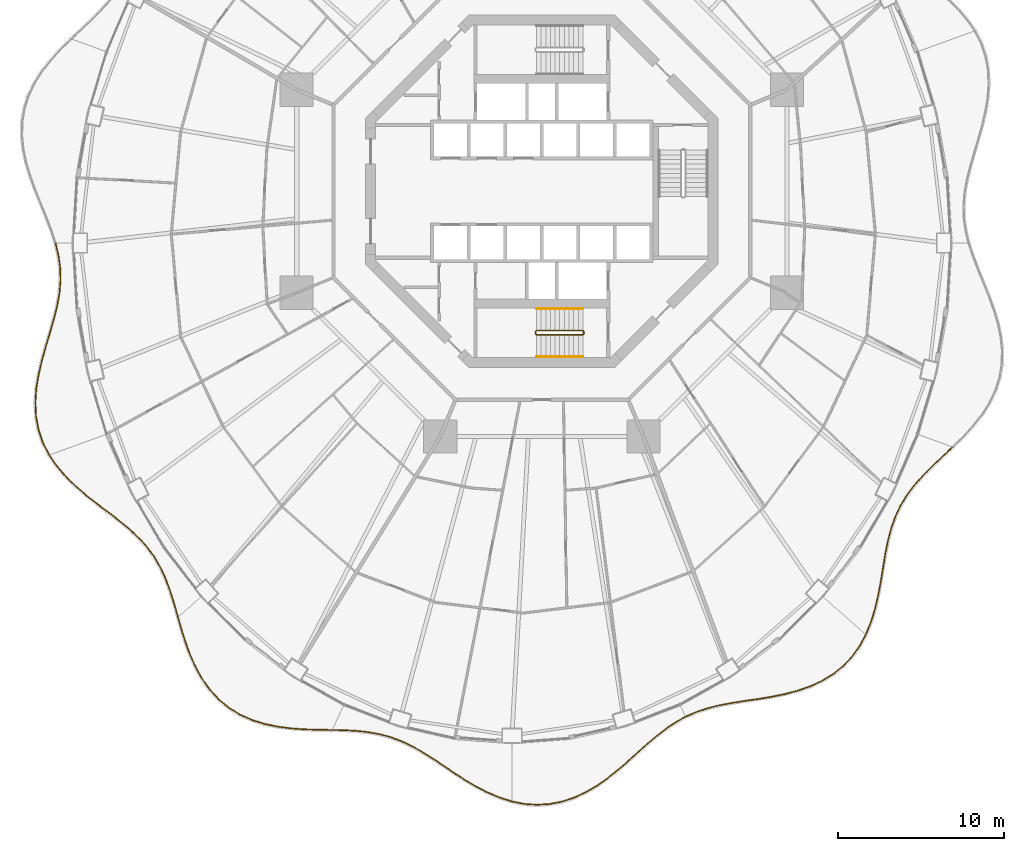
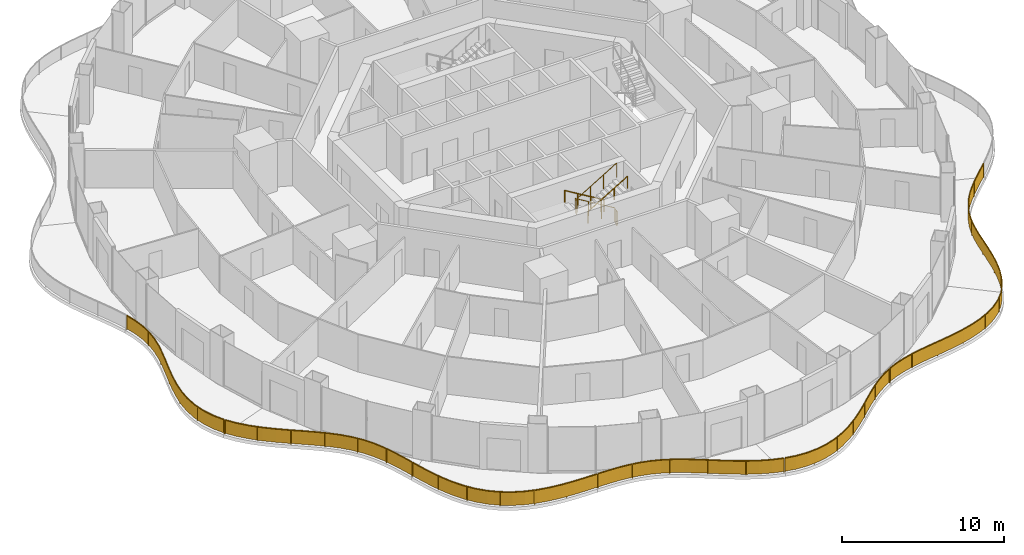
# One storey, part 19 of 21: 10 railings.
"""IFC4 building model written with IfcOpenShell, lengths in metres."""

from ifc_helpers import new_model, si_unit, direction, frame, origin, origin_2d, place, context, subcontext, project, spatial, polyline, rectangle, circle, outline, extrude, material, type_object, element, save


model = new_model("IFC4")

# Units and contexts
model_context = context("Model", 3, precision=1e-05, world=origin(), true_north=direction((0.0, 1.0)))
body_context = subcontext(model_context, "Body", "Model", "MODEL_VIEW")
ifc_project = project(units=[si_unit("LENGTHUNIT", "METRE"), si_unit("AREAUNIT", "SQUARE_METRE"), si_unit("VOLUMEUNIT", "CUBIC_METRE"), si_unit("PLANEANGLEUNIT", "RADIAN"), si_unit("MASSUNIT", "GRAM", prefix="KILO")], contexts=[model_context])

# Site, building, storey
site_placement = place(None, origin())
site = spatial("IfcSite", under=ifc_project, at=site_placement, CompositionType="ELEMENT")
building_placement = place(site_placement, origin())
building = spatial("IfcBuilding", under=site, at=building_placement, Name="Nagisa Residences", CompositionType="ELEMENT")
storey_placement = place(building_placement, frame((0.0, 0.0, 134.39990234375)))
storey = spatial("IfcBuildingStorey", under=building, at=storey_placement, Name="L33", CompositionType="ELEMENT", Elevation=134.39990234375)

# Railings
ifc_material_1 = material(Name="Stainless steel 316", Category="steel")
railing_type_1 = type_object("IfcRailingType", Name="BALCONY GUARD 1100", PredefinedType="BALUSTRADE", material=ifc_material_1)
railing_1_placement = place(storey_placement, frame((-29.312255859375, -3.15234375, 0.0)))
element("IfcRailing", 1, at=railing_1_placement, inside=storey, type_object=railing_type_1, Name="guard:L33:bal08-0", PredefinedType="BALUSTRADE", context=body_context, shape_type="SweptSolid", body=[
    extrude(outline(polyline([(0.197021484375, -0.710693359375), (0.0244140625, 0.005859375), (-0.0244140625, -0.005859375), (0.147705078125, -0.719970703125), (0.25048828125, -1.47021484375), (0.269287109375, -2.22314453125), (0.206298828125, -2.984619140625), (0.0703125, -3.760009765625), (-0.126220703125, -4.539306640625), (-0.359619140625, -5.352294921875), (-0.608154296875, -6.183837890625), (-0.845947265625, -7.03125), (-1.046875, -7.889404296875), (-1.189453125, -8.73681640625), (-1.24609375, -9.592041015625), (-1.203369140625, -10.432373046875), (-1.050537109375, -11.247802734375), (-0.7841796875, -12.030029296875), (-0.427001953125, -12.729248046875), (-0.382568359375, -12.706298828125), (-0.73779296875, -12.010498046875), (-1.002197265625, -11.235107421875), (-1.153564453125, -10.426513671875), (-1.19580078125, -9.592529296875), (-1.1396484375, -8.74267578125), (-0.99755859375, -7.899169921875), (-0.797607421875, -7.0439453125), (-0.560302734375, -6.197998046875), (-0.311767578125, -5.366455078125), (-0.077880859375, -4.552490234375), (0.119140625, -3.770263671875), (0.256103515625, -2.990966796875), (0.319580078125, -2.224609375), (0.30029296875, -1.46630859375), (0.197021484375, -0.710693359375)])), frame((0.0, 0.0, 1.050048828125)), (0.0, 0.0, 1.0), 0.050048828125),
    extrude(outline(polyline([(0.17919921875, -0.714111328125), (0.0068359375, 0.001708984375), (-0.0068359375, -0.001708984375), (0.16552734375, -0.716552734375), (0.268310546875, -1.46875), (0.287353515625, -2.2236328125), (0.224365234375, -2.98681640625), (0.087890625, -3.763671875), (-0.10888671875, -4.544189453125), (-0.342529296875, -5.357421875), (-0.591064453125, -6.18896484375), (-0.82861328125, -7.035888671875), (-1.029052734375, -7.892822265625), (-1.171630859375, -8.739013671875), (-1.22802734375, -9.59228515625), (-1.185546875, -10.43017578125), (-1.033203125, -11.2431640625), (-0.767333984375, -12.02294921875), (-0.4111328125, -12.720947265625), (-0.3984375, -12.714599609375), (-0.754638671875, -12.017578125), (-1.01953125, -11.23974609375), (-1.17138671875, -10.4287109375), (-1.2138671875, -9.59228515625), (-1.157470703125, -8.740478515625), (-1.015380859375, -7.895751953125), (-0.81494140625, -7.039306640625), (-0.577392578125, -6.19287109375), (-0.328857421875, -5.361328125), (-0.09521484375, -4.547607421875), (0.1015625, -3.7666015625), (0.238037109375, -2.98876953125), (0.301513671875, -2.22412109375), (0.282470703125, -1.4677734375), (0.17919921875, -0.714111328125)])), frame((0.0, 0.0, 0.06005859375)), (0.0, 0.0, 1.0), 0.989990234375),
    extrude(rectangle(XDim=0.0400390625, YDim=0.0400390625, at=origin_2d()), origin(), (0.0, 0.0, 1.0), 1.050048828125),
    extrude(rectangle(XDim=0.0400390625, YDim=0.0400390625, at=origin_2d()), frame((0.29248046875, -2.150390625, 0.0)), (0.0, 0.0, 1.0), 1.050048828125),
    extrude(rectangle(XDim=0.0400390625, YDim=0.0400390625, at=origin_2d()), frame((-0.039306640625, -4.297119140625, 0.0)), (0.0, 0.0, 1.0), 1.050048828125),
    extrude(rectangle(XDim=0.0400390625, YDim=0.0400390625, at=origin_2d()), frame((-0.64013671875, -6.390380859375, 0.0)), (0.0, 0.0, 1.0), 1.050048828125),
    extrude(rectangle(XDim=0.0400390625, YDim=0.0400390625, at=origin_2d()), frame((-1.126220703125, -8.51171875, 0.0)), (0.0, 0.0, 1.0), 1.050048828125),
    extrude(rectangle(XDim=0.0400390625, YDim=0.0400390625, at=origin_2d()), frame((-1.131591796875, -10.67919921875, 0.0)), (0.0, 0.0, 1.0), 1.050048828125),
    extrude(rectangle(XDim=0.0400390625, YDim=0.0400390625, at=origin_2d()), frame((-0.40478515625, -12.7177734375, 0.0)), (0.0, 0.0, 1.0), 1.050048828125),
])
railing_2_placement = place(storey_placement, frame((-29.677001953125, -15.9365234375, 0.0)))
element("IfcRailing", 2, at=railing_2_placement, inside=storey, type_object=railing_type_1, Name="guard:L33:bal09-0", PredefinedType="BALUSTRADE", context=body_context, shape_type="SweptSolid", body=[
    extrude(outline(polyline([(0.456298828125, -0.620361328125), (0.0205078125, 0.01416015625), (-0.0205078125, -0.01416015625), (0.416748046875, -0.651123046875), (0.96142578125, -1.28466796875), (1.570068359375, -1.8779296875), (2.2216796875, -2.43505859375), (2.89453125, -2.9638671875), (3.5595703125, -3.46142578125), (4.20947265625, -3.96484375), (4.8203125, -4.4736328125), (5.37841796875, -4.99951171875), (5.874755859375, -5.553955078125), (6.298095703125, -6.13330078125), (6.66748046875, -6.76904296875), (6.981201171875, -7.4521484375), (7.2509765625, -8.180908203125), (7.491943359375, -8.950439453125), (7.70703125, -9.708984375), (7.75537109375, -9.6953125), (7.539794921875, -8.936279296875), (7.29833984375, -8.164794921875), (7.027587890625, -7.43310546875), (6.7119140625, -6.74609375), (6.340087890625, -6.10595703125), (5.913818359375, -5.522216796875), (5.4140625, -4.96435546875), (4.853515625, -4.43603515625), (4.24072265625, -3.92578125), (3.58984375, -3.42138671875), (2.9248046875, -2.92431640625), (2.25341796875, -2.396484375), (1.603759765625, -1.8408203125), (0.998046875, -1.25048828125), (0.456298828125, -0.620361328125)])), frame((0.0, 0.0, 1.050048828125)), (0.0, 0.0, 1.0), 0.050048828125),
    extrude(outline(polyline([(0.442138671875, -0.63134765625), (0.005859375, 0.00390625), (-0.005859375, -0.00390625), (0.430908203125, -0.64013671875), (0.974609375, -1.2724609375), (1.582275390625, -1.864501953125), (2.233154296875, -2.421142578125), (2.905517578125, -2.94970703125), (3.570556640625, -3.447021484375), (4.220703125, -3.95068359375), (4.832275390625, -4.4599609375), (5.39111328125, -4.98681640625), (5.888916015625, -5.54248046875), (6.313232421875, -6.12353515625), (6.68359375, -6.7607421875), (6.997802734375, -7.4453125), (7.26806640625, -8.175048828125), (7.50927734375, -8.9453125), (7.724365234375, -9.7041015625), (7.738037109375, -9.7001953125), (7.5224609375, -8.94140625), (7.28125, -8.170654296875), (7.010986328125, -7.43994140625), (6.69580078125, -6.75439453125), (6.324951171875, -6.11572265625), (5.899658203125, -5.53369140625), (5.4013671875, -4.97705078125), (4.841552734375, -4.44970703125), (4.2294921875, -3.93994140625), (3.578857421875, -3.435791015625), (2.913818359375, -2.9384765625), (2.241943359375, -2.410400390625), (1.591552734375, -1.854248046875), (0.98486328125, -1.2626953125), (0.442138671875, -0.63134765625)])), frame((0.0, 0.0, 0.06005859375)), (0.0, 0.0, 1.0), 0.989990234375),
    extrude(rectangle(XDim=0.0400390625, YDim=0.0400390625, at=origin_2d()), origin(), (0.0, 0.0, 1.0), 1.050048828125),
    extrude(rectangle(XDim=0.0400390625, YDim=0.0400390625, at=origin_2d()), frame((1.348388671875, -1.626708984375, 0.0)), (0.0, 0.0, 1.0), 1.050048828125),
    extrude(rectangle(XDim=0.0400390625, YDim=0.0400390625, at=origin_2d()), frame((2.969482421875, -2.989013671875, 0.0)), (0.0, 0.0, 1.0), 1.050048828125),
    extrude(rectangle(XDim=0.0400390625, YDim=0.0400390625, at=origin_2d()), frame((4.640625, -4.291259765625, 0.0)), (0.0, 0.0, 1.0), 1.050048828125),
    extrude(rectangle(XDim=0.0400390625, YDim=0.0400390625, at=origin_2d()), frame((6.099853515625, -5.819580078125, 0.0)), (0.0, 0.0, 1.0), 1.050048828125),
    extrude(rectangle(XDim=0.0400390625, YDim=0.0400390625, at=origin_2d()), frame((7.09326171875, -7.682373046875, 0.0)), (0.0, 0.0, 1.0), 1.050048828125),
    extrude(rectangle(XDim=0.0400390625, YDim=0.0400390625, at=origin_2d()), frame((7.731201171875, -9.7021484375, 0.0)), (0.0, 0.0, 1.0), 1.050048828125),
])
railing_3_placement = place(storey_placement, frame((-21.926513671875, -25.712158203125, 0.0)))
element("IfcRailing", 3, at=railing_3_placement, inside=storey, type_object=railing_type_1, Name="guard:L33:bal10-0", PredefinedType="BALUSTRADE", context=body_context, shape_type="SweptSolid", body=[
    extrude(outline(polyline([(0.234619140625, -0.73095703125), (0.024169921875, 0.0068359375), (-0.024169921875, -0.0068359375), (0.186767578125, -0.74560546875), (0.435791015625, -1.530029296875), (0.72265625, -2.302734375), (1.060791015625, -3.0478515625), (1.45947265625, -3.749267578125), (1.91357421875, -4.3828125), (2.449951171875, -4.957275390625), (3.054931640625, -5.452392578125), (3.72412109375, -5.863037109375), (4.44873046875, -6.18798828125), (5.2060546875, -6.422607421875), (6.007080078125, -6.58984375), (6.8291015625, -6.695068359375), (7.657958984375, -6.751953125), (8.48193359375, -6.778076171875), (9.245361328125, -6.788330078125), (9.245849609375, -6.738525390625), (8.48291015625, -6.728271484375), (7.660400390625, -6.7021484375), (6.833984375, -6.645263671875), (6.015380859375, -6.54052734375), (5.21875, -6.374267578125), (4.46630859375, -6.14111328125), (3.74755859375, -5.818603515625), (3.084228515625, -5.411376953125), (2.484130859375, -4.920654296875), (1.9521484375, -4.35107421875), (1.50146484375, -3.722412109375), (1.105224609375, -3.02490234375), (0.76904296875, -2.28369140625), (0.483154296875, -1.513916015625), (0.234619140625, -0.73095703125)])), frame((0.0, 0.0, 1.050048828125)), (0.0, 0.0, 1.0), 0.050048828125),
    extrude(outline(polyline([(0.21728515625, -0.736328125), (0.0068359375, 0.001953125), (-0.0068359375, -0.001953125), (0.2041015625, -0.740234375), (0.452880859375, -1.524169921875), (0.7392578125, -2.2958984375), (1.07666015625, -3.03955078125), (1.474609375, -3.739501953125), (1.927490234375, -4.371337890625), (2.462158203125, -4.944091796875), (3.0654296875, -5.4375), (3.732666015625, -5.846923828125), (4.455078125, -6.171142578125), (5.210693359375, -6.4052734375), (6.010009765625, -6.572021484375), (6.830810546875, -6.67724609375), (7.658935546875, -6.734130859375), (8.482177734375, -6.76025390625), (9.24560546875, -6.7705078125), (9.24560546875, -6.75634765625), (8.482666015625, -6.74609375), (7.659423828125, -6.719970703125), (6.832275390625, -6.6630859375), (6.012451171875, -6.558349609375), (5.214111328125, -6.3916015625), (4.4599609375, -6.157958984375), (3.739013671875, -5.834716796875), (3.07373046875, -5.42626953125), (2.471923828125, -4.933837890625), (1.938232421875, -4.362548828125), (1.486328125, -3.732177734375), (1.08935546875, -3.033203125), (0.75244140625, -2.29052734375), (0.466064453125, -1.519775390625), (0.21728515625, -0.736328125)])), frame((0.0, 0.0, 0.06005859375)), (0.0, 0.0, 1.0), 0.989990234375),
    extrude(rectangle(XDim=0.0400390625, YDim=0.0400390625, at=origin_2d()), origin(), (0.0, 0.0, 1.0), 1.050048828125),
    extrude(rectangle(XDim=0.0400390625, YDim=0.0400390625, at=origin_2d()), frame((0.648193359375, -2.0302734375, 0.0)), (0.0, 0.0, 1.0), 1.050048828125),
    extrude(rectangle(XDim=0.0400390625, YDim=0.0400390625, at=origin_2d()), frame((1.615234375, -3.923828125, 0.0)), (0.0, 0.0, 1.0), 1.050048828125),
    extrude(rectangle(XDim=0.0400390625, YDim=0.0400390625, at=origin_2d()), frame((3.091552734375, -5.4453125, 0.0)), (0.0, 0.0, 1.0), 1.050048828125),
    extrude(rectangle(XDim=0.0400390625, YDim=0.0400390625, at=origin_2d()), frame((5.0166015625, -6.337890625, 0.0)), (0.0, 0.0, 1.0), 1.050048828125),
    extrude(rectangle(XDim=0.0400390625, YDim=0.0400390625, at=origin_2d()), frame((7.115234375, -6.689697265625, 0.0)), (0.0, 0.0, 1.0), 1.050048828125),
    extrude(rectangle(XDim=0.0400390625, YDim=0.0400390625, at=origin_2d()), frame((9.24560546875, -6.763427734375, 0.0)), (0.0, 0.0, 1.0), 1.050048828125),
])
railing_4_placement = place(storey_placement, frame((-12.60546875, -32.47509765625, 0.0)))
element("IfcRailing", 4, at=railing_4_placement, inside=storey, type_object=railing_type_1, Name="guard:L33:bal11-0", PredefinedType="BALUSTRADE", context=body_context, shape_type="SweptSolid", body=[
    extrude(outline(polyline([(0.713623046875, 0.00927734375), (0.00048828125, 0.02490234375), (-0.00048828125, -0.02490234375), (0.711669921875, -0.04052734375), (1.444091796875, -0.081298828125), (2.148681640625, -0.15771484375), (2.826904296875, -0.280517578125), (3.48193359375, -0.458251953125), (4.1015625, -0.688720703125), (4.72705078125, -0.98193359375), (5.34814453125, -1.328125), (5.97216796875, -1.71826171875), (6.60693359375, -2.139404296875), (7.239501953125, -2.57275390625), (7.91015625, -3.00634765625), (8.60302734375, -3.417724609375), (9.318603515625, -3.7880859375), (10.054931640625, -4.099365234375), (10.760986328125, -4.322998046875), (10.776123046875, -4.275146484375), (10.072509765625, -4.052490234375), (9.340087890625, -3.74267578125), (8.62744140625, -3.373779296875), (7.9365234375, -2.9638671875), (7.267333984375, -2.53125), (6.634765625, -2.097900390625), (5.99951171875, -1.67626953125), (5.37353515625, -1.28515625), (4.75, -0.9375), (4.12109375, -0.642333984375), (3.4970703125, -0.410400390625), (2.838134765625, -0.231689453125), (2.156005859375, -0.10791015625), (1.447998046875, -0.031494140625), (0.713623046875, 0.00927734375)])), frame((0.0, 0.0, 1.050048828125)), (0.0, 0.0, 1.0), 0.050048828125),
    extrude(outline(polyline([(0.712890625, -0.008544921875), (0.000244140625, 0.007080078125), (-0.000244140625, -0.007080078125), (0.71240234375, -0.022705078125), (1.445556640625, -0.0634765625), (2.1513671875, -0.1396484375), (2.8310546875, -0.262939453125), (3.4873046875, -0.44091796875), (4.108642578125, -0.671875), (4.7353515625, -0.966064453125), (5.357177734375, -1.312744140625), (5.98193359375, -1.703125), (6.616943359375, -2.12451171875), (7.24951171875, -2.557861328125), (7.919677734375, -2.990966796875), (8.61181640625, -3.40185546875), (9.326416015625, -3.771728515625), (10.061279296875, -4.08251953125), (10.766357421875, -4.3056640625), (10.770751953125, -4.29248046875), (10.066162109375, -4.0693359375), (9.332275390625, -3.759033203125), (8.61865234375, -3.3896484375), (7.927001953125, -2.979248046875), (7.25732421875, -2.546142578125), (6.624755859375, -2.11279296875), (5.98974609375, -1.69140625), (5.364501953125, -1.300537109375), (4.74169921875, -0.953369140625), (4.114013671875, -0.6591796875), (3.49169921875, -0.427734375), (2.833984375, -0.249267578125), (2.1533203125, -0.1259765625), (1.446533203125, -0.04931640625), (0.712890625, -0.008544921875)])), frame((0.0, 0.0, 0.06005859375)), (0.0, 0.0, 1.0), 0.989990234375),
    extrude(rectangle(XDim=0.0400390625, YDim=0.0400390625, at=origin_2d()), origin(), (0.0, 0.0, 1.0), 1.050048828125),
    extrude(rectangle(XDim=0.0400390625, YDim=0.0400390625, at=origin_2d()), frame((2.352783203125, -0.169189453125, 0.0)), (0.0, 0.0, 1.0), 1.050048828125),
    extrude(rectangle(XDim=0.0400390625, YDim=0.0400390625, at=origin_2d()), frame((4.591064453125, -0.890625, 0.0)), (0.0, 0.0, 1.0), 1.050048828125),
    extrude(rectangle(XDim=0.0400390625, YDim=0.0400390625, at=origin_2d()), frame((6.60986328125, -2.111328125, 0.0)), (0.0, 0.0, 1.0), 1.050048828125),
    extrude(rectangle(XDim=0.0400390625, YDim=0.0400390625, at=origin_2d()), frame((8.597412109375, -3.38525390625, 0.0)), (0.0, 0.0, 1.0), 1.050048828125),
    extrude(rectangle(XDim=0.0400390625, YDim=0.0400390625, at=origin_2d()), frame((10.7685546875, -4.299072265625, 0.0)), (0.0, 0.0, 1.0), 1.050048828125),
])
railing_5_placement = place(storey_placement, frame((-1.761962890625, -36.7939453125, 0.0)))
element("IfcRailing", 5, at=railing_5_placement, inside=storey, type_object=railing_type_1, Name="guard:L33:bal12-0", PredefinedType="BALUSTRADE", context=body_context, shape_type="SweptSolid", body=[
    extrude(outline(polyline([(0.7177734375, -0.115966796875), (0.0048828125, 0.024658203125), (-0.0048828125, -0.024658203125), (0.71142578125, -0.165771484375), (1.47998046875, -0.21826171875), (2.24560546875, -0.169921875), (3.00048828125, -0.020751953125), (3.736572265625, 0.223876953125), (4.4345703125, 0.55224609375), (5.12158203125, 0.956787109375), (5.779541015625, 1.4189453125), (6.409423828125, 1.920654296875), (7.013671875, 2.443115234375), (7.58056640625, 2.962646484375), (8.1494140625, 3.471923828125), (8.71240234375, 3.950439453125), (9.27734375, 4.38623046875), (9.852783203125, 4.7705078125), (10.410400390625, 5.079345703125), (10.385986328125, 5.123291015625), (9.826904296875, 4.8134765625), (9.248046875, 4.4267578125), (8.6806640625, 3.989501953125), (8.11669921875, 3.509521484375), (7.546875, 2.999755859375), (6.98046875, 2.480712890625), (6.377685546875, 1.959228515625), (5.749755859375, 1.458984375), (5.09423828125, 0.998779296875), (4.4111328125, 0.5966796875), (3.718017578125, 0.270263671875), (2.98779296875, 0.027587890625), (2.2392578125, -0.1201171875), (1.47998046875, -0.16796875), (0.7177734375, -0.115966796875)])), frame((0.0, 0.0, 1.050048828125)), (0.0, 0.0, 1.0), 0.050048828125),
    extrude(outline(polyline([(0.715576171875, -0.134033203125), (0.00146484375, 0.0068359375), (-0.00146484375, -0.0068359375), (0.713623046875, -0.147705078125), (1.47998046875, -0.2001953125), (2.243408203125, -0.15185546875), (2.995849609375, -0.00341796875), (3.72998046875, 0.240478515625), (4.426025390625, 0.568359375), (5.11181640625, 0.971923828125), (5.768798828125, 1.433349609375), (6.39794921875, 1.9345703125), (7.001708984375, 2.456787109375), (7.568359375, 2.97607421875), (8.1376953125, 3.4853515625), (8.700927734375, 3.964599609375), (9.266845703125, 4.40087890625), (9.843505859375, 4.785888671875), (10.401611328125, 5.09521484375), (10.394775390625, 5.107421875), (9.836181640625, 4.798095703125), (9.258544921875, 4.412109375), (8.692138671875, 3.975341796875), (8.12841796875, 3.49609375), (7.55908203125, 2.986328125), (6.992431640625, 2.467041015625), (6.38916015625, 1.9453125), (5.760498046875, 1.444580078125), (5.10400390625, 0.983642578125), (4.419677734375, 0.58056640625), (3.724609375, 0.253662109375), (2.992431640625, 0.01025390625), (2.241455078125, -0.13818359375), (1.47998046875, -0.18603515625), (0.715576171875, -0.134033203125)])), frame((0.0, 0.0, 0.06005859375)), (0.0, 0.0, 1.0), 0.989990234375),
    extrude(rectangle(XDim=0.0400390625, YDim=0.0400390625, at=origin_2d()), origin(), (0.0, 0.0, 1.0), 1.050048828125),
    extrude(rectangle(XDim=0.0400390625, YDim=0.0400390625, at=origin_2d()), frame((1.997802734375, -0.160400390625, 0.0)), (0.0, 0.0, 1.0), 1.050048828125),
    extrude(rectangle(XDim=0.0400390625, YDim=0.0400390625, at=origin_2d()), frame((3.935791015625, 0.34521484375, 0.0)), (0.0, 0.0, 1.0), 1.050048828125),
    extrude(rectangle(XDim=0.0400390625, YDim=0.0400390625, at=origin_2d()), frame((5.665283203125, 1.369140625, 0.0)), (0.0, 0.0, 1.0), 1.050048828125),
    extrude(rectangle(XDim=0.0400390625, YDim=0.0400390625, at=origin_2d()), frame((7.211669921875, 2.658447265625, 0.0)), (0.0, 0.0, 1.0), 1.050048828125),
    extrude(rectangle(XDim=0.0400390625, YDim=0.0400390625, at=origin_2d()), frame((8.72265625, 3.989990234375, 0.0)), (0.0, 0.0, 1.0), 1.050048828125),
    extrude(rectangle(XDim=0.0400390625, YDim=0.0400390625, at=origin_2d()), frame((10.398193359375, 5.101318359375, 0.0)), (0.0, 0.0, 1.0), 1.050048828125),
])
railing_6_placement = place(storey_placement, frame((8.69775390625, -31.662109375, 0.0)))
element("IfcRailing", 6, at=railing_6_placement, inside=storey, type_object=railing_type_1, Name="guard:L33:bal13-0", PredefinedType="BALUSTRADE", context=body_context, shape_type="SweptSolid", body=[
    extrude(outline(polyline([(0.59765625, 0.288818359375), (-0.010009765625, 0.02294921875), (0.010009765625, -0.02294921875), (0.61572265625, 0.241943359375), (1.291748046875, 0.468017578125), (2.003173828125, 0.646240234375), (2.7490234375, 0.789306640625), (3.52490234375, 0.912353515625), (4.3095703125, 1.022705078125), (5.121337890625, 1.156005859375), (5.93310546875, 1.3203125), (6.731201171875, 1.53076171875), (7.500732421875, 1.80078125), (8.216064453125, 2.12890625), (8.88818359375, 2.543212890625), (9.49462890625, 3.034423828125), (10.02734375, 3.6005859375), (10.483154296875, 4.236083984375), (10.83740234375, 4.89013671875), (10.79345703125, 4.9140625), (10.440673828125, 4.262451171875), (9.98876953125, 3.63232421875), (9.46044921875, 3.071044921875), (8.859375, 2.584228515625), (8.192626953125, 2.17333984375), (7.482177734375, 1.84716796875), (6.716552734375, 1.57861328125), (5.921875, 1.369140625), (5.112548828125, 1.205322265625), (4.30224609375, 1.072021484375), (3.517578125, 0.961669921875), (2.740234375, 0.838623046875), (1.992431640625, 0.695068359375), (1.277587890625, 0.515869140625), (0.59765625, 0.288818359375)])), frame((0.0, 0.0, 1.050048828125)), (0.0, 0.0, 1.0), 0.050048828125),
    extrude(outline(polyline([(0.604248046875, 0.27197265625), (-0.002685546875, 0.00634765625), (0.002685546875, -0.00634765625), (0.609130859375, 0.2587890625), (1.28662109375, 0.485107421875), (1.999267578125, 0.663818359375), (2.745849609375, 0.80712890625), (3.522216796875, 0.93017578125), (4.306884765625, 1.04052734375), (5.1181640625, 1.173828125), (5.92919921875, 1.337890625), (6.725830078125, 1.548095703125), (7.494140625, 1.8173828125), (8.207763671875, 2.14501953125), (8.8779296875, 2.55810546875), (9.482421875, 3.047607421875), (10.013427734375, 3.612060546875), (10.4677734375, 4.24560546875), (10.821533203125, 4.898681640625), (10.809326171875, 4.905517578125), (10.4560546875, 4.2529296875), (10.002685546875, 3.620849609375), (9.47265625, 3.057861328125), (8.86962890625, 2.5693359375), (8.200927734375, 2.1572265625), (7.48876953125, 1.83056640625), (6.721923828125, 1.561279296875), (5.92578125, 1.3515625), (5.11572265625, 1.1875), (4.304931640625, 1.05419921875), (3.520263671875, 0.94384765625), (2.743408203125, 0.82080078125), (1.996337890625, 0.677490234375), (1.28271484375, 0.498779296875), (0.604248046875, 0.27197265625)])), frame((0.0, 0.0, 0.06005859375)), (0.0, 0.0, 1.0), 0.989990234375),
    extrude(rectangle(XDim=0.0400390625, YDim=0.0400390625, at=origin_2d()), origin(), (0.0, 0.0, 1.0), 1.050048828125),
    extrude(rectangle(XDim=0.0400390625, YDim=0.0400390625, at=origin_2d()), frame((1.950439453125, 0.65869140625, 0.0)), (0.0, 0.0, 1.0), 1.050048828125),
    extrude(rectangle(XDim=0.0400390625, YDim=0.0400390625, at=origin_2d()), frame((3.984375, 1.002197265625, 0.0)), (0.0, 0.0, 1.0), 1.050048828125),
    extrude(rectangle(XDim=0.0400390625, YDim=0.0400390625, at=origin_2d()), frame((6.014404296875, 1.36767578125, 0.0)), (0.0, 0.0, 1.0), 1.050048828125),
    extrude(rectangle(XDim=0.0400390625, YDim=0.0400390625, at=origin_2d()), frame((7.960693359375, 2.039306640625, 0.0)), (0.0, 0.0, 1.0), 1.050048828125),
    extrude(rectangle(XDim=0.0400390625, YDim=0.0400390625, at=origin_2d()), frame((9.636474609375, 3.2216796875, 0.0)), (0.0, 0.0, 1.0), 1.050048828125),
    extrude(rectangle(XDim=0.0400390625, YDim=0.0400390625, at=origin_2d()), frame((10.8154296875, 4.902099609375, 0.0)), (0.0, 0.0, 1.0), 1.050048828125),
])
railing_7_placement = place(storey_placement, frame((19.5458984375, -26.68994140625, 0.0)))
element("IfcRailing", 7, at=railing_7_placement, inside=storey, type_object=railing_type_1, Name="guard:L33:bal14-0", PredefinedType="BALUSTRADE", context=body_context, shape_type="SweptSolid", body=[
    extrude(outline(polyline([(0.275634765625, 0.7451171875), (-0.023193359375, 0.009521484375), (0.023193359375, -0.009521484375), (0.322998046875, 0.728515625), (0.572509765625, 1.547119140625), (0.766357421875, 2.38720703125), (0.921875, 3.232421875), (1.05859375, 4.068359375), (1.1884765625, 4.868896484375), (1.347900390625, 5.6494140625), (1.546142578125, 6.3916015625), (1.7978515625, 7.093017578125), (2.11279296875, 7.75390625), (2.48974609375, 8.3662109375), (2.941650390625, 8.96337890625), (3.456298828125, 9.541015625), (4.021728515625, 10.109375), (4.6220703125, 10.678955078125), (5.20654296875, 11.227294921875), (5.17236328125, 11.263916015625), (4.587890625, 10.715576171875), (3.986572265625, 10.14501953125), (3.419677734375, 9.5751953125), (2.903076171875, 8.9951171875), (2.4482421875, 8.39453125), (2.06884765625, 7.77783203125), (1.75146484375, 7.112060546875), (1.498291015625, 6.40673828125), (1.299072265625, 5.6611328125), (1.13916015625, 4.877685546875), (1.00927734375, 4.076171875), (0.87255859375, 3.2412109375), (0.717529296875, 2.3974609375), (0.524169921875, 1.560302734375), (0.275634765625, 0.7451171875)])), frame((0.0, 0.0, 1.050048828125)), (0.0, 0.0, 1.0), 0.050048828125),
    extrude(outline(polyline([(0.292724609375, 0.7392578125), (-0.006591796875, 0.002685546875), (0.006591796875, -0.002685546875), (0.305908203125, 0.734375), (0.55517578125, 1.552001953125), (0.748779296875, 2.390869140625), (0.904052734375, 3.235595703125), (1.040771484375, 4.071044921875), (1.170654296875, 4.8720703125), (1.330322265625, 5.653564453125), (1.52880859375, 6.39697265625), (1.78125, 7.099853515625), (2.096923828125, 7.762451171875), (2.474853515625, 8.37646484375), (2.927734375, 8.974853515625), (3.443115234375, 9.55322265625), (4.009033203125, 10.1220703125), (4.60986328125, 10.692138671875), (5.1943359375, 11.240478515625), (5.1845703125, 11.250732421875), (4.60009765625, 10.702392578125), (3.999267578125, 10.13232421875), (3.432861328125, 9.56298828125), (2.9169921875, 8.983642578125), (2.463134765625, 8.38427734375), (2.084716796875, 7.769287109375), (1.76806640625, 7.105224609375), (1.515625, 6.4013671875), (1.316650390625, 5.656982421875), (1.156982421875, 4.87451171875), (1.027099609375, 4.073486328125), (0.890380859375, 3.238037109375), (0.735107421875, 2.393798828125), (0.54150390625, 1.555419921875), (0.292724609375, 0.7392578125)])), frame((0.0, 0.0, 0.06005859375)), (0.0, 0.0, 1.0), 0.989990234375),
    extrude(rectangle(XDim=0.0400390625, YDim=0.0400390625, at=origin_2d()), origin(), (0.0, 0.0, 1.0), 1.050048828125),
    extrude(rectangle(XDim=0.0400390625, YDim=0.0400390625, at=origin_2d()), frame((0.655517578125, 2.018310546875, 0.0)), (0.0, 0.0, 1.0), 1.050048828125),
    extrude(rectangle(XDim=0.0400390625, YDim=0.0400390625, at=origin_2d()), frame((1.039794921875, 4.10888671875, 0.0)), (0.0, 0.0, 1.0), 1.050048828125),
    extrude(rectangle(XDim=0.0400390625, YDim=0.0400390625, at=origin_2d()), frame((1.46630859375, 6.1904296875, 0.0)), (0.0, 0.0, 1.0), 1.050048828125),
    extrude(rectangle(XDim=0.0400390625, YDim=0.0400390625, at=origin_2d()), frame((2.315185546875, 8.13037109375, 0.0)), (0.0, 0.0, 1.0), 1.050048828125),
    extrude(rectangle(XDim=0.0400390625, YDim=0.0400390625, at=origin_2d()), frame((3.654052734375, 9.775146484375, 0.0)), (0.0, 0.0, 1.0), 1.050048828125),
    extrude(rectangle(XDim=0.0400390625, YDim=0.0400390625, at=origin_2d()), frame((5.189453125, 11.24560546875, 0.0)), (0.0, 0.0, 1.0), 1.050048828125),
])
ifc_material_2 = material(Name="Stainless steel", Category="steel")
railing_type_2 = type_object("IfcRailingType", Name="Stair guard 1100", PredefinedType="GUARDRAIL", material=ifc_material_2)
railing_8_placement = place(storey_placement, frame((2.52490234375, -8.599609375, 0.0)))
element("IfcRailing", 8, at=railing_8_placement, inside=storey, type_object=railing_type_2, Name="L33 ST-S stair guard 1", PredefinedType="GUARDRAIL", context=body_context, shape_type="SweptSolid", body=[
    extrude(circle(Radius=0.02392578125, at=origin_2d()), frame((0.0, 0.0, 1.076171875), z_axis=(0.0, 1.0, 0.0), x_axis=(-1.0, 0.0, 0.0)), (0.0, 0.0, 1.0), 0.14990234375),
    extrude(circle(Radius=0.02392578125, at=origin_2d()), frame((0.0, 0.14990234375, 1.076171875), z_axis=(-0.273006030465, 0.27434429532, 0.922064485248), x_axis=(-0.708833529934, -0.705375805398, 0.0)), (0.0, 0.0, 1.0), 0.182373046875),
    extrude(circle(Radius=0.02392578125, at=origin_2d()), frame((-0.0498046875, 0.199951171875, 1.244140625), z_axis=(-0.857242210791, 0.0, 0.514913383045), x_axis=(0.0, -1.0, 0.0)), (0.0, 0.0, 1.0), 3.266357421875),
    extrude(circle(Radius=0.02392578125, at=origin_2d()), frame((-2.849853515625, 0.199951171875, 2.92626953125), z_axis=(-0.707106781187, -0.707106781187, 0.0), x_axis=(0.707106781187, -0.707106781187, 0.0)), (0.0, 0.0, 1.0), 0.07080078125),
    extrude(circle(Radius=0.02392578125, at=origin_2d()), frame((-2.89990234375, 0.14990234375, 2.92626953125), z_axis=(0.0, -1.0, 0.0), x_axis=(1.0, 0.0, 0.0)), (0.0, 0.0, 1.0), 0.14990234375),
    extrude(circle(Radius=0.02392578125, at=origin_2d()), frame((-2.89990234375, 0.0, 2.92626953125), z_axis=(0.274243871929, -0.274243871929, 0.92172696468), x_axis=(0.707106781187, 0.707106781187, 0.0)), (0.0, 0.0, 1.0), 0.1826171875),
    extrude(circle(Radius=0.02392578125, at=origin_2d()), frame((-2.849853515625, -0.050048828125, 3.09423828125), z_axis=(0.857242210791, 0.0, 0.514913383045), x_axis=(0.0, 1.0, 0.0)), (0.0, 0.0, 1.0), 3.266357421875),
    extrude(circle(Radius=0.02099609375, at=origin_2d()), origin(), (0.0, 0.0, 1.0), 1.052001953125),
    extrude(circle(Radius=0.02099609375, at=origin_2d()), frame((0.0, 0.14990234375, 0.0)), (0.0, 0.0, 1.0), 1.052001953125),
    extrude(circle(Radius=0.02099609375, at=origin_2d()), frame((-0.0498046875, 0.199951171875, 0.168212890625)), (0.0, 0.0, 1.0), 1.052001953125),
    extrude(circle(Radius=0.02099609375, at=origin_2d()), frame((-0.983154296875, 0.199951171875, 0.728759765625)), (0.0, 0.0, 1.0), 1.052001953125),
    extrude(circle(Radius=0.02099609375, at=origin_2d()), frame((-1.91650390625, 0.199951171875, 1.28955078125)), (0.0, 0.0, 1.0), 1.052001953125),
    extrude(circle(Radius=0.02099609375, at=origin_2d()), frame((-2.849853515625, 0.199951171875, 1.85009765625)), (0.0, 0.0, 1.0), 1.052001953125),
    extrude(circle(Radius=0.02099609375, at=origin_2d()), frame((-2.89990234375, 0.14990234375, 1.85009765625)), (0.0, 0.0, 1.0), 1.052001953125),
    extrude(circle(Radius=0.02099609375, at=origin_2d()), frame((-2.89990234375, 0.0, 1.85009765625)), (0.0, 0.0, 1.0), 1.052001953125),
    extrude(circle(Radius=0.02099609375, at=origin_2d()), frame((-2.849853515625, -0.050048828125, 2.018310546875)), (0.0, 0.0, 1.0), 1.052001953125),
    extrude(circle(Radius=0.02099609375, at=origin_2d()), frame((-1.91650390625, -0.050048828125, 2.578857421875)), (0.0, 0.0, 1.0), 1.052001953125),
    extrude(circle(Radius=0.02099609375, at=origin_2d()), frame((-0.983154296875, -0.050048828125, 3.1396484375)), (0.0, 0.0, 1.0), 1.052001953125),
    extrude(circle(Radius=0.02099609375, at=origin_2d()), frame((-0.0498046875, -0.050048828125, 3.7001953125)), (0.0, 0.0, 1.0), 1.052001953125),
])
ifc_material_3 = material(Name="Stainless steel", Category="steel")
railing_type_3 = type_object("IfcRailingType", Name="Stair handrail 900", PredefinedType="HANDRAIL", material=ifc_material_3)
railing_9_placement = place(storey_placement, frame((2.47509765625, -7.07470703125, 0.168212890625)))
element("IfcRailing", 9, at=railing_9_placement, inside=storey, type_object=railing_type_3, Name="L33 ST-S stair handrail 1", PredefinedType="HANDRAIL", context=body_context, shape_type="SweptSolid", body=[
    extrude(circle(Radius=0.02392578125, at=origin_2d()), frame((0.0, 0.0, 0.8759765625), z_axis=(-0.857242210791, 0.0, 0.514913383045), x_axis=(0.0, -1.0, 0.0)), (0.0, 0.0, 1.0), 3.266357421875),
    extrude(circle(Radius=0.02099609375, at=origin_2d()), origin(), (0.0, 0.0, 1.0), 0.851806640625),
    extrude(circle(Radius=0.02099609375, at=origin_2d()), frame((-0.933349609375, 0.0, 0.560546875)), (0.0, 0.0, 1.0), 0.851806640625),
    extrude(circle(Radius=0.02099609375, at=origin_2d()), frame((-1.86669921875, 0.0, 1.121337890625)), (0.0, 0.0, 1.0), 0.851806640625),
    extrude(circle(Radius=0.02099609375, at=origin_2d()), frame((-2.800048828125, 0.0, 1.681884765625)), (0.0, 0.0, 1.0), 0.851806640625),
])
railing_10_placement = place(storey_placement, frame((-0.324951171875, -9.974609375, 2.018310546875)))
element("IfcRailing", 10, at=railing_10_placement, inside=storey, type_object=railing_type_3, Name="L33 ST-S stair handrail 2", PredefinedType="HANDRAIL", context=body_context, shape_type="SweptSolid", body=[
    extrude(circle(Radius=0.02392578125, at=origin_2d()), frame((0.0, 0.0, 0.8759765625), z_axis=(0.857242210791, 0.0, 0.514913383045), x_axis=(0.0, 1.0, 0.0)), (0.0, 0.0, 1.0), 3.266357421875),
    extrude(circle(Radius=0.02099609375, at=origin_2d()), origin(), (0.0, 0.0, 1.0), 0.851806640625),
    extrude(circle(Radius=0.02099609375, at=origin_2d()), frame((0.933349609375, 0.0, 0.560546875)), (0.0, 0.0, 1.0), 0.851806640625),
    extrude(circle(Radius=0.02099609375, at=origin_2d()), frame((1.86669921875, 0.0, 1.121337890625)), (0.0, 0.0, 1.0), 0.851806640625),
    extrude(circle(Radius=0.02099609375, at=origin_2d()), frame((2.800048828125, 0.0, 1.681884765625)), (0.0, 0.0, 1.0), 0.851806640625),
])

save(model, "model.ifc")
